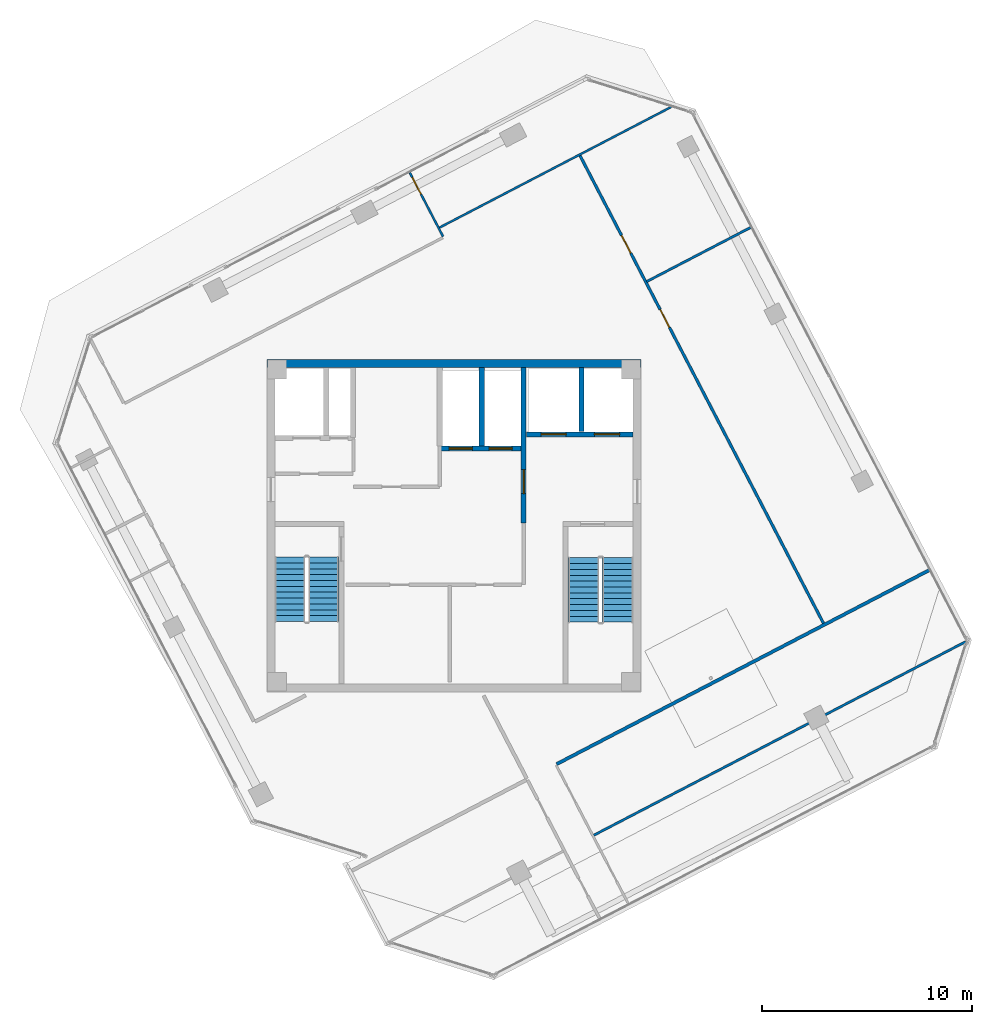
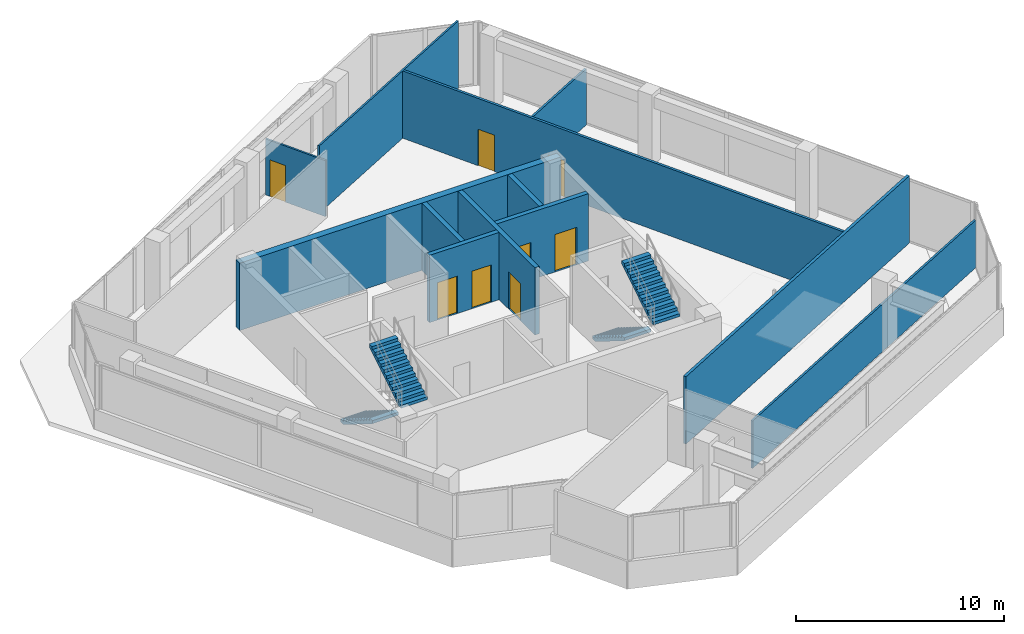
# One storey, part 12 of 16: 12 walls, 8 doors, 4 stair flights, 8 openings, 2 elements without a shape of their own.
"""IFC4 building model written with IfcOpenShell, lengths in metres."""

from ifc_helpers import new_model, si_unit, direction, frame, frame_2d, origin, place, context, subcontext, project, spatial, polyline, rectangle, outline, extrude, source, transform, mapped, material, layer, layer_set, type_object, element, fill, aggregate, save


model = new_model("IFC4")

# Units and contexts
model_context = context("Model", 3, precision=1e-05, world=origin(), true_north=direction((0.0, 1.0)))
body_context = subcontext(model_context, "Body", "Model", "MODEL_VIEW")
ifc_project = project(units=[si_unit("LENGTHUNIT", "METRE"), si_unit("AREAUNIT", "SQUARE_METRE"), si_unit("VOLUMEUNIT", "CUBIC_METRE"), si_unit("PLANEANGLEUNIT", "RADIAN"), si_unit("MASSUNIT", "GRAM", prefix="KILO")], contexts=[model_context])

# Site, building, storey
site_placement = place(None, origin())
site = spatial("IfcSite", under=ifc_project, at=site_placement, CompositionType="ELEMENT")
building_placement = place(site_placement, origin())
building = spatial("IfcBuilding", under=site, at=building_placement, Name="Torre Montelarca", CompositionType="ELEMENT")
storey_placement = place(building_placement, frame((0.0, 0.0, 328.199951171875)))
storey = spatial("IfcBuildingStorey", under=building, at=storey_placement, Name="L74", CompositionType="ELEMENT", Elevation=328.199951171875)

# Wall, opening, door
ifc_material_1 = material(Name="Concrete C40/50", Category="concrete")
ifc_layer_1 = layer(ifc_material_1, 0.25, Name="Concrete C40/50", Category="concrete")
ifc_layer_set_1 = layer_set([ifc_layer_1], Name="Concrete C40/50")
wall_type_1 = type_object("IfcWallType", Name="CW-SHAFT-250", PredefinedType="SHEAR", material=ifc_layer_set_1)
wall_1_placement = place(storey_placement, frame((21.320068359375, 32.1201171875, 0.0), z_axis=(0.0, 0.0, 1.0), x_axis=(0.0, 1.0, 0.0)))
wall_1 = element("IfcWall", 1, at=wall_1_placement, inside=storey, type_object=wall_type_1, Name="L74 Core Shear Wall SH-FFL-W", PredefinedType="SHEAR", context=body_context, shape_type="SweptSolid", body=[
    extrude(rectangle(XDim=7.419921875, YDim=0.25, at=frame_2d((3.7099609375, 0.0))), origin(), (0.0, 0.0, 1.0), 3.9599609375),
])
opening_1_placement = place(wall_1_placement, frame((1.39990234375, 0.0, 0.0)))
opening_1 = element("IfcOpeningElement", 2, at=opening_1_placement, cuts=wall_1, Name="Opening FD-LB1", PredefinedType="OPENING", context=body_context, shape_type="SweptSolid", body=[
    extrude(rectangle(XDim=1.14990234375, YDim=2.199951171875, at=frame_2d((0.574951171875, 1.10009765625))), frame((0.0, 0.135009765625, 0.0), z_axis=(0.0, -1.0, 0.0), x_axis=(1.0, 0.0, 0.0)), (0.0, 0.0, 1.0), 0.27001953125),
])
ifc_material_2 = material(Name="Acoustic timber-veneered fire door", Category="wood")
door_type_1 = type_object("IfcDoorType", Name="DR-LOBBY-115", OperationType="NOTDEFINED", PredefinedType="DOOR", material=ifc_material_2)
shared_shape_1 = source(origin(), body_context, "Body", "SweptSolid", [
    extrude(rectangle(XDim=1.14990234375, YDim=2.199951171875, at=frame_2d((0.574951171875, 1.10009765625))), frame((0.0, 0.02490234375, 0.0), z_axis=(0.0, -1.0, 0.0), x_axis=(1.0, 0.0, 0.0)), (0.0, 0.0, 1.0), 0.050048828125),
])
door_1_placement = place(opening_1_placement, origin())
door_1 = element("IfcDoor", 3, at=door_1_placement, inside=storey, type_object=door_type_1, Name="L74 Lift Lobby to Firefighting Lobby Smoke Door", OperationType="SINGLE_SWING_LEFT", OverallHeight=2.199951171875, OverallWidth=1.14990234375, PredefinedType="DOOR", context=body_context, shape_type="MappedRepresentation", body=[
    mapped(shared_shape_1, transform((0.0, 0.0, 0.0), scale=1.0)),
])
fill(opening_1, door_1)

# Wall, openings, doors
wall_2_placement = place(storey_placement, frame((21.449951171875, 36.35009765625, 0.0), z_axis=(0.0, 0.0, 1.0), x_axis=(1.0, 0.0, 0.0)))
wall_2 = element("IfcWall", 4, at=wall_2_placement, inside=storey, type_object=wall_type_1, Name="L74 Core Shear Wall SH-FF-S", PredefinedType="SHEAR", context=body_context, shape_type="SweptSolid", body=[
    extrude(rectangle(XDim=5.090087890625, YDim=0.25, at=frame_2d((2.544921875, 0.0))), origin(), (0.0, 0.0, 1.0), 3.9599609375),
])
opening_2_placement = place(wall_2_placement, frame((0.699951171875, 0.0, 0.0)))
opening_2 = element("IfcOpeningElement", 5, at=opening_2_placement, cuts=wall_2, Name="Opening LD-120", PredefinedType="OPENING", context=body_context, shape_type="SweptSolid", body=[
    extrude(rectangle(XDim=1.199951171875, YDim=2.199951171875, at=frame_2d((0.60009765625, 1.10009765625))), frame((0.0, 0.135009765625, 0.0), z_axis=(0.0, -1.0, 0.0), x_axis=(1.0, 0.0, 0.0)), (0.0, 0.0, 1.0), 0.27001953125),
])
opening_3_placement = place(wall_2_placement, frame((3.25, 0.0, 0.0)))
opening_3 = element("IfcOpeningElement", 6, at=opening_3_placement, cuts=wall_2, Name="Opening LD-120", PredefinedType="OPENING", context=body_context, shape_type="SweptSolid", body=[
    extrude(rectangle(XDim=1.199951171875, YDim=2.199951171875, at=frame_2d((0.60009765625, 1.10009765625))), frame((0.0, 0.135009765625, 0.0), z_axis=(0.0, -1.0, 0.0), x_axis=(1.0, 0.0, 0.0)), (0.0, 0.0, 1.0), 0.27001953125),
])
ifc_material_3 = material(Name="Brushed stainless steel AISI 316", Category="steel")
door_type_2 = type_object("IfcDoorType", Name="DR-LIFT-120", OperationType="SLIDING_TO_RIGHT", PredefinedType="DOOR", material=ifc_material_3)
shared_shape_2 = source(origin(), body_context, "Body", "SweptSolid", [
    extrude(rectangle(XDim=1.199951171875, YDim=2.199951171875, at=frame_2d((0.60009765625, 1.10009765625))), frame((0.0, 0.02490234375, 0.0), z_axis=(0.0, -1.0, 0.0), x_axis=(1.0, 0.0, 0.0)), (0.0, 0.0, 1.0), 0.050048828125),
])
door_2_placement = place(opening_2_placement, origin())
door_2 = element("IfcDoor", 7, at=door_2_placement, inside=storey, type_object=door_type_2, Name="L74 Lift Landing Sliding Door FF-1", OperationType="SLIDING_TO_LEFT", OverallHeight=2.199951171875, OverallWidth=1.199951171875, PredefinedType="DOOR", context=body_context, shape_type="MappedRepresentation", body=[
    mapped(shared_shape_2, transform((0.0, 0.0, 0.0), scale=1.0)),
])
fill(opening_2, door_2)
door_3_placement = place(opening_3_placement, origin())
door_3 = element("IfcDoor", 8, at=door_3_placement, inside=storey, type_object=door_type_2, Name="L74 Lift Landing Sliding Door FF-2", OperationType="SLIDING_TO_RIGHT", OverallHeight=2.199951171875, OverallWidth=1.199951171875, PredefinedType="DOOR", context=body_context, shape_type="MappedRepresentation", body=[
    mapped(shared_shape_2, transform((0.0, 0.0, 0.0), scale=1.0)),
])
fill(opening_3, door_3)

# Wall
wall_3_placement = place(storey_placement, frame((24.080078125, 36.47998046875, 0.0), z_axis=(0.0, 0.0, 1.0), x_axis=(0.0, 1.0, 0.0)))
element("IfcWall", 9, at=wall_3_placement, inside=storey, type_object=wall_type_1, Name="L74 Core Shear Wall SH-FF-M", PredefinedType="SHEAR", context=body_context, shape_type="SweptSolid", body=[
    extrude(rectangle(XDim=3.06005859375, YDim=0.25, at=frame_2d((1.530029296875, 0.0))), origin(), (0.0, 0.0, 1.0), 3.9599609375),
])

# Wall, openings, doors
wall_4_placement = place(storey_placement, frame((17.320068359375, 35.679931640625, 0.0), z_axis=(0.0, 0.0, 1.0), x_axis=(1.0, 0.0, 0.0)))
wall_4 = element("IfcWall", 10, at=wall_4_placement, inside=storey, type_object=wall_type_1, Name="L74 Core Shear Wall SH-PLH-S", PredefinedType="SHEAR", context=body_context, shape_type="SweptSolid", body=[
    extrude(rectangle(XDim=3.869873046875, YDim=0.25, at=frame_2d((1.93505859375, 0.0))), origin(), (0.0, 0.0, 1.0), 3.9599609375),
])
opening_4_placement = place(wall_4_placement, frame((0.449951171875, 0.0, 0.0)))
opening_4 = element("IfcOpeningElement", 11, at=opening_4_placement, cuts=wall_4, Name="Opening LD-110", PredefinedType="OPENING", context=body_context, shape_type="SweptSolid", body=[
    extrude(rectangle(XDim=1.10009765625, YDim=2.199951171875, at=frame_2d((0.550048828125, 1.10009765625))), frame((0.0, 0.135009765625, 0.0), z_axis=(0.0, -1.0, 0.0), x_axis=(1.0, 0.0, 0.0)), (0.0, 0.0, 1.0), 0.27001953125),
])
opening_5_placement = place(wall_4_placement, frame((2.35009765625, 0.0, 0.0)))
opening_5 = element("IfcOpeningElement", 12, at=opening_5_placement, cuts=wall_4, Name="Opening LD-110", PredefinedType="OPENING", context=body_context, shape_type="SweptSolid", body=[
    extrude(rectangle(XDim=1.10009765625, YDim=2.199951171875, at=frame_2d((0.550048828125, 1.10009765625))), frame((0.0, 0.135009765625, 0.0), z_axis=(0.0, -1.0, 0.0), x_axis=(1.0, 0.0, 0.0)), (0.0, 0.0, 1.0), 0.27001953125),
])
door_type_3 = type_object("IfcDoorType", Name="DR-LIFT-110", OperationType="SLIDING_TO_LEFT", PredefinedType="DOOR", material=ifc_material_3)
shared_shape_3 = source(origin(), body_context, "Body", "SweptSolid", [
    extrude(rectangle(XDim=1.10009765625, YDim=2.199951171875, at=frame_2d((0.550048828125, 1.10009765625))), frame((0.0, 0.02490234375, 0.0), z_axis=(0.0, -1.0, 0.0), x_axis=(1.0, 0.0, 0.0)), (0.0, 0.0, 1.0), 0.050048828125),
])
door_4_placement = place(opening_4_placement, origin())
door_4 = element("IfcDoor", 13, at=door_4_placement, inside=storey, type_object=door_type_3, Name="L74 Lift Landing Sliding Door PL-H1", OperationType="SLIDING_TO_LEFT", OverallHeight=2.199951171875, OverallWidth=1.10009765625, PredefinedType="DOOR", context=body_context, shape_type="MappedRepresentation", body=[
    mapped(shared_shape_3, transform((0.0, 0.0, 0.0), scale=1.0)),
])
fill(opening_4, door_4)
door_5_placement = place(opening_5_placement, origin())
door_5 = element("IfcDoor", 14, at=door_5_placement, inside=storey, type_object=door_type_3, Name="L74 Lift Landing Sliding Door PL-H2", OperationType="SLIDING_TO_RIGHT", OverallHeight=2.199951171875, OverallWidth=1.10009765625, PredefinedType="DOOR", context=body_context, shape_type="MappedRepresentation", body=[
    mapped(shared_shape_3, transform((0.0, 0.0, 0.0), scale=1.0)),
])
fill(opening_5, door_5)

# Walls
wall_5_placement = place(storey_placement, frame((19.320068359375, 35.81005859375, 0.0), z_axis=(0.0, 0.0, 1.0), x_axis=(0.0, 1.0, 0.0)))
element("IfcWall", 15, at=wall_5_placement, inside=storey, type_object=wall_type_1, Name="L74 Core Shear Wall SH-PLH-M", PredefinedType="SHEAR", context=body_context, shape_type="SweptSolid", body=[
    extrude(rectangle(XDim=3.72998046875, YDim=0.25, at=frame_2d((1.864990234375, 0.0))), origin(), (0.0, 0.0, 1.0), 3.9599609375),
])
ifc_layer_2 = layer(ifc_material_1, 0.3798828125, Name="Concrete C40/50", Category="concrete")
ifc_layer_set_2 = layer_set([ifc_layer_2], Name="Concrete C40/50")
wall_type_2 = type_object("IfcWallType", Name="CW-SHEAR-380", PredefinedType="SHEAR", material=ifc_layer_set_2)
wall_6_placement = place(storey_placement, frame((9.070068359375, 39.739990234375, 0.0), z_axis=(0.0, 0.0, 1.0), x_axis=(1.0, 0.0, 0.0)))
element("IfcWall", 16, at=wall_6_placement, inside=storey, type_object=wall_type_2, Name="L74 Core Shear Wall CW-N1", PredefinedType="SHEAR", context=body_context, shape_type="SweptSolid", body=[
    extrude(rectangle(XDim=17.85986328125, YDim=0.3798828125, at=frame_2d((8.929931640625, 0.0))), origin(), (0.0, 0.0, 1.0), 3.9599609375),
])
ifc_material_4 = material(Name="Gypsum plasterboard on steel stud", Category="steel")
ifc_layer_3 = layer(ifc_material_4, 0.159912109375, Name="Gypsum plasterboard on steel stud", Category="steel")
ifc_layer_set_3 = layer_set([ifc_layer_3], Name="Gypsum plasterboard on steel stud")
wall_type_3 = type_object("IfcWallType", Name="PW-FIRE-160", PredefinedType="PARTITIONING", material=ifc_layer_set_3)
wall_7_placement = place(storey_placement, frame((22.893310546875, 20.6171875, 0.0), z_axis=(0.0, 0.0, 1.0), x_axis=(0.887013262899, 0.461743945755, 0.0)))
element("IfcWall", 17, at=wall_7_placement, inside=storey, type_object=wall_type_3, Name="L74 Interior Partition W-L74-ECN", PredefinedType="PARTITIONING", context=body_context, shape_type="SweptSolid", body=[
    extrude(rectangle(XDim=20.0400390625, YDim=0.159912109375, at=frame_2d((10.02001953125, 0.0))), origin(), (0.0, 0.0, 1.0), 3.9599609375),
])

# Wall, opening, door
ifc_material_5 = material(Name="Acoustic laminated glass partition", Category="glass")
ifc_layer_4 = layer(ifc_material_5, 0.10009765625, Name="Acoustic laminated glass partition", Category="glass")
ifc_layer_set_4 = layer_set([ifc_layer_4], Name="Acoustic laminated glass partition")
wall_type_4 = type_object("IfcWallType", Name="PW-GLAZ-100", PredefinedType="PARTITIONING", material=ifc_layer_set_4)
wall_8_placement = place(storey_placement, frame((15.893798828125, 48.833251953125, 0.0), z_axis=(0.0, 0.0, 1.0), x_axis=(0.461760597426, -0.8870045945, 0.0)))
wall_8 = element("IfcWall", 18, at=wall_8_placement, inside=storey, type_object=wall_type_4, Name="L74 Interior Partition W-L74-WPKN", PredefinedType="PARTITIONING", context=body_context, shape_type="SweptSolid", body=[
    extrude(rectangle(XDim=3.4296875, YDim=0.10009765625, at=frame_2d((1.71484375, 0.0))), origin(), (0.0, 0.0, 1.0), 3.295166015625),
])
opening_6_placement = place(wall_8_placement, frame((0.25, 0.0, 0.0)))
opening_6 = element("IfcOpeningElement", 19, at=opening_6_placement, cuts=wall_8, Name="Opening ID-090", PredefinedType="OPENING", context=body_context, shape_type="SweptSolid", body=[
    extrude(rectangle(XDim=0.89990234375, YDim=2.14990234375, at=frame_2d((0.449951171875, 1.074951171875))), frame((0.0, 0.06005859375, 0.0), z_axis=(0.0, -1.0, 0.0), x_axis=(1.0, 0.0, 0.0)), (0.0, 0.0, 1.0), 0.1201171875),
])
ifc_material_6 = material(Name="Hardwood acoustic timber veneer", Category="wood")
door_type_4 = type_object("IfcDoorType", Name="DR-INT-090", OperationType="NOTDEFINED", PredefinedType="DOOR", material=ifc_material_6)
shared_shape_4 = source(origin(), body_context, "Body", "SweptSolid", [
    extrude(rectangle(XDim=0.89990234375, YDim=2.14990234375, at=frame_2d((0.449951171875, 1.074951171875))), frame((0.0, 0.02490234375, 0.0), z_axis=(0.0, -1.0, 0.0), x_axis=(1.0, 0.0, 0.0)), (0.0, 0.0, 1.0), 0.050048828125),
])
door_6_placement = place(opening_6_placement, origin())
door_6 = element("IfcDoor", 20, at=door_6_placement, inside=storey, type_object=door_type_4, Name="L74 Interior Door 12", OperationType="SINGLE_SWING_RIGHT", OverallHeight=2.14990234375, OverallWidth=0.89990234375, PredefinedType="DOOR", context=body_context, shape_type="MappedRepresentation", body=[
    mapped(shared_shape_4, transform((0.0, 0.0, 0.0), scale=1.0)),
])
fill(opening_6, door_6)

# Walls
wall_9_placement = place(storey_placement, frame((17.30078125, 46.21728515625, 0.0), z_axis=(0.0, 0.0, 1.0), x_axis=(0.887006461695, 0.461757010679, 0.0)))
element("IfcWall", 21, at=wall_9_placement, inside=storey, type_object=wall_type_4, Name="L74 Interior Partition W-L74-WPKE2", PredefinedType="PARTITIONING", context=body_context, shape_type="SweptSolid", body=[
    extrude(rectangle(XDim=12.471923828125, YDim=0.10009765625, at=frame_2d((6.23583984375, 0.0))), origin(), (0.0, 0.0, 1.0), 3.9599609375),
])
ifc_layer_5 = layer(ifc_material_4, 0.114990234375, Name="Gypsum plasterboard on steel stud", Category="steel")
ifc_layer_set_5 = layer_set([ifc_layer_5], Name="Gypsum plasterboard on steel stud")
wall_type_5 = type_object("IfcWallType", Name="PW-PART-115", PredefinedType="PARTITIONING", material=ifc_layer_set_5)
wall_10_placement = place(storey_placement, frame((27.187255859375, 43.641357421875, 0.0), z_axis=(0.0, 0.0, 1.0), x_axis=(0.886991844597, 0.461785088129, 0.0)))
element("IfcWall", 22, at=wall_10_placement, inside=storey, type_object=wall_type_5, Name="L74 Interior Partition W-L74-NDIV-1", PredefinedType="PARTITIONING", context=body_context, shape_type="SweptSolid", body=[
    extrude(rectangle(XDim=5.599853515625, YDim=0.114990234375, at=frame_2d((2.7998046875, 0.0))), origin(), (0.0, 0.0, 1.0), 3.295166015625),
])
wall_11_placement = place(storey_placement, frame((24.661865234375, 17.22021484375, 0.0), z_axis=(0.0, 0.0, 1.0), x_axis=(0.887015173056, 0.461740276312, 0.0)))
element("IfcWall", 23, at=wall_11_placement, inside=storey, type_object=wall_type_5, Name="L74 Interior Partition W-L74-NEDIV-1", PredefinedType="PARTITIONING", context=body_context, shape_type="SweptSolid", body=[
    extrude(rectangle(XDim=20.01171875, YDim=0.114990234375, at=frame_2d((10.005859375, 0.0))), origin(), (0.0, 0.0, 1.0), 2.795166015625),
])

# Wall, openings, doors
ifc_layer_6 = layer(ifc_material_4, 0.135009765625, Name="Gypsum plasterboard on steel stud", Category="steel")
ifc_layer_set_6 = layer_set([ifc_layer_6], Name="Gypsum plasterboard on steel stud")
wall_type_6 = type_object("IfcWallType", Name="PW-PART-135", PredefinedType="PARTITIONING", material=ifc_layer_set_6)
wall_12_placement = place(storey_placement, frame((24.007080078125, 49.66357421875, 0.0), z_axis=(0.0, 0.0, 1.0), x_axis=(0.461753963132, -0.887008048178, 0.0)))
wall_12 = element("IfcWall", 24, at=wall_12_placement, inside=storey, type_object=wall_type_6, Name="L74 Interior Partition W-L74-NBOT", PredefinedType="PARTITIONING", context=body_context, shape_type="SweptSolid", body=[
    extrude(rectangle(XDim=25.210205078125, YDim=0.135009765625, at=frame_2d((12.60498046875, 0.0))), origin(), (0.0, 0.0, 1.0), 3.9599609375),
])
opening_7_placement = place(wall_12_placement, frame((4.300048828125, 0.0, 0.0)))
opening_7 = element("IfcOpeningElement", 25, at=opening_7_placement, cuts=wall_12, Name="Opening ID-095", PredefinedType="OPENING", context=body_context, shape_type="SweptSolid", body=[
    extrude(rectangle(XDim=0.949951171875, YDim=2.14990234375, at=frame_2d((0.47509765625, 1.074951171875))), frame((0.0, 0.07763671875, 0.0), z_axis=(0.0, -1.0, 0.0), x_axis=(1.0, 0.0, 0.0)), (0.0, 0.0, 1.0), 0.155029296875),
])
opening_8_placement = place(wall_12_placement, frame((8.300048828125, 0.0, 0.0)))
opening_8 = element("IfcOpeningElement", 26, at=opening_8_placement, cuts=wall_12, Name="Opening ID-095", PredefinedType="OPENING", context=body_context, shape_type="SweptSolid", body=[
    extrude(rectangle(XDim=0.949951171875, YDim=2.14990234375, at=frame_2d((0.47509765625, 1.074951171875))), frame((0.0, 0.07763671875, 0.0), z_axis=(0.0, -1.0, 0.0), x_axis=(1.0, 0.0, 0.0)), (0.0, 0.0, 1.0), 0.155029296875),
])
door_type_5 = type_object("IfcDoorType", Name="DR-INT-095", OperationType="NOTDEFINED", PredefinedType="DOOR", material=ifc_material_6)
shared_shape_5 = source(origin(), body_context, "Body", "SweptSolid", [
    extrude(rectangle(XDim=0.949951171875, YDim=2.14990234375, at=frame_2d((0.47509765625, 1.074951171875))), frame((0.0, 0.02490234375, 0.0), z_axis=(0.0, -1.0, 0.0), x_axis=(1.0, 0.0, 0.0)), (0.0, 0.0, 1.0), 0.050048828125),
])
door_7_placement = place(opening_7_placement, origin())
door_7 = element("IfcDoor", 27, at=door_7_placement, inside=storey, type_object=door_type_5, Name="L74 Interior Door 09", OperationType="SINGLE_SWING_LEFT", OverallHeight=2.14990234375, OverallWidth=0.949951171875, PredefinedType="DOOR", context=body_context, shape_type="MappedRepresentation", body=[
    mapped(shared_shape_5, transform((0.0, 0.0, 0.0), scale=1.0)),
])
fill(opening_7, door_7)
door_8_placement = place(opening_8_placement, origin())
door_8 = element("IfcDoor", 28, at=door_8_placement, inside=storey, type_object=door_type_5, Name="L74 Interior Door 10", OperationType="SINGLE_SWING_RIGHT", OverallHeight=2.14990234375, OverallWidth=0.949951171875, PredefinedType="DOOR", context=body_context, shape_type="MappedRepresentation", body=[
    mapped(shared_shape_5, transform((0.0, 0.0, 0.0), scale=1.0)),
])
fill(opening_8, door_8)

# Stair, stair flights
stair_type_1 = type_object("IfcStairType", Name="ST-CORE-ST1", PredefinedType="HALF_TURN_STAIR", material=ifc_material_1)
stair_1_placement = place(storey_placement, origin())
stair_1 = element("IfcStair", 29, at=stair_1_placement, inside=storey, type_object=stair_type_1, Name="L74 Protected Exit Stair ST1", PredefinedType="HALF_TURN_STAIR")
stair_flight_type_1 = type_object("IfcStairFlightType", Name="SFL-CORE-ST1", PredefinedType="STRAIGHT", material=ifc_material_1)
stair_flight_1_placement = place(storey_placement, frame((10.175048828125, 30.5, 0.0), z_axis=(0.0, 0.0, 1.0), x_axis=(0.0, -1.0, 0.0)))
stair_flight_1 = element("IfcStairFlight", 30, at=stair_flight_1_placement, type_object=stair_flight_type_1, Name="ST1 flight 1", NumberOfRisers=12, NumberOfTreads=11, PredefinedType="STRAIGHT", RiserHeight=0.175, TreadLength=0.28, context=body_context, shape_type="SweptSolid", body=[
    extrude(outline(polyline([(0.0, 0.0), (0.0, 0.175048828125), (0.280029296875, 0.175048828125), (0.280029296875, 0.35009765625), (0.56005859375, 0.35009765625), (0.56005859375, 0.52490234375), (0.840087890625, 0.52490234375), (0.840087890625, 0.699951171875), (1.1201171875, 0.699951171875), (1.1201171875, 0.875), (1.39990234375, 0.875), (1.39990234375, 1.050048828125), (1.679931640625, 1.050048828125), (1.679931640625, 1.22509765625), (1.9599609375, 1.22509765625), (1.9599609375, 1.39990234375), (2.239990234375, 1.39990234375), (2.239990234375, 1.574951171875), (2.52001953125, 1.574951171875), (2.52001953125, 1.75), (2.800048828125, 1.75), (2.800048828125, 1.925048828125), (3.080078125, 1.925048828125), (3.080078125, 2.10009765625), (3.080078125, 1.748291015625), (0.28271484375, 0.0), (0.0, 0.0)])), frame((0.0, 0.72509765625, 0.0), z_axis=(0.0, -1.0, 0.0), x_axis=(1.0, 0.0, 0.0)), (0.0, 0.0, 1.0), 1.449951171875),
])
stair_flight_2_placement = place(storey_placement, frame((11.77490234375, 27.419921875, 2.10009765625), z_axis=(0.0, 0.0, 1.0), x_axis=(0.0, 1.0, 0.0)))
stair_flight_2 = element("IfcStairFlight", 31, at=stair_flight_2_placement, type_object=stair_flight_type_1, Name="ST1 flight 2", NumberOfRisers=12, NumberOfTreads=11, PredefinedType="STRAIGHT", RiserHeight=0.175, TreadLength=0.28, context=body_context, shape_type="SweptSolid", body=[
    extrude(outline(polyline([(0.0, 0.0), (0.0, 0.175048828125), (0.280029296875, 0.175048828125), (0.280029296875, 0.35009765625), (0.56005859375, 0.35009765625), (0.56005859375, 0.52490234375), (0.840087890625, 0.52490234375), (0.840087890625, 0.699951171875), (1.1201171875, 0.699951171875), (1.1201171875, 0.875), (1.39990234375, 0.875), (1.39990234375, 1.050048828125), (1.679931640625, 1.050048828125), (1.679931640625, 1.22509765625), (1.9599609375, 1.22509765625), (1.9599609375, 1.39990234375), (2.239990234375, 1.39990234375), (2.239990234375, 1.574951171875), (2.52001953125, 1.574951171875), (2.52001953125, 1.75), (2.800048828125, 1.75), (2.800048828125, 1.925048828125), (3.080078125, 1.925048828125), (3.080078125, 2.10009765625), (3.080078125, 1.748291015625), (0.28271484375, 0.0), (0.0, 0.0)])), frame((0.0, 0.72509765625, 0.0), z_axis=(0.0, -1.0, 0.0), x_axis=(1.0, 0.0, 0.0)), (0.0, 0.0, 1.0), 1.449951171875),
])
aggregate(stair_1, [stair_flight_1, stair_flight_2])

stair_type_2 = type_object("IfcStairType", Name="ST-CORE-ST2", PredefinedType="HALF_TURN_STAIR", material=ifc_material_1)
stair_2_placement = place(storey_placement, origin())
stair_2 = element("IfcStair", 32, at=stair_2_placement, inside=storey, type_object=stair_type_2, Name="L74 Protected Exit Stair ST2", PredefinedType="HALF_TURN_STAIR")
stair_flight_type_2 = type_object("IfcStairFlightType", Name="SFL-CORE-ST2", PredefinedType="STRAIGHT", material=ifc_material_1)
stair_flight_3_placement = place(storey_placement, frame((24.179931640625, 30.469970703125, 0.0), z_axis=(0.0, 0.0, 1.0), x_axis=(0.0, -1.0, 0.0)))
stair_flight_3 = element("IfcStairFlight", 33, at=stair_flight_3_placement, type_object=stair_flight_type_2, Name="ST2 flight 1", NumberOfRisers=12, NumberOfTreads=11, PredefinedType="STRAIGHT", RiserHeight=0.175, TreadLength=0.28, context=body_context, shape_type="SweptSolid", body=[
    extrude(outline(polyline([(0.0, 0.0), (0.0, 0.175048828125), (0.280029296875, 0.175048828125), (0.280029296875, 0.35009765625), (0.56005859375, 0.35009765625), (0.56005859375, 0.52490234375), (0.840087890625, 0.52490234375), (0.840087890625, 0.699951171875), (1.1201171875, 0.699951171875), (1.1201171875, 0.875), (1.39990234375, 0.875), (1.39990234375, 1.050048828125), (1.679931640625, 1.050048828125), (1.679931640625, 1.22509765625), (1.9599609375, 1.22509765625), (1.9599609375, 1.39990234375), (2.239990234375, 1.39990234375), (2.239990234375, 1.574951171875), (2.52001953125, 1.574951171875), (2.52001953125, 1.75), (2.800048828125, 1.75), (2.800048828125, 1.925048828125), (3.080078125, 1.925048828125), (3.080078125, 2.10009765625), (3.080078125, 1.748291015625), (0.28271484375, 0.0), (0.0, 0.0)])), frame((0.0, 0.739990234375, 0.0), z_axis=(0.0, -1.0, 0.0), x_axis=(1.0, 0.0, 0.0)), (0.0, 0.0, 1.0), 1.47998046875),
])
stair_flight_4_placement = place(storey_placement, frame((25.81005859375, 27.389892578125, 2.10009765625), z_axis=(0.0, 0.0, 1.0), x_axis=(0.0, 1.0, 0.0)))
stair_flight_4 = element("IfcStairFlight", 34, at=stair_flight_4_placement, type_object=stair_flight_type_2, Name="ST2 flight 2", NumberOfRisers=12, NumberOfTreads=11, PredefinedType="STRAIGHT", RiserHeight=0.175, TreadLength=0.28, context=body_context, shape_type="SweptSolid", body=[
    extrude(outline(polyline([(0.0, 0.0), (0.0, 0.175048828125), (0.280029296875, 0.175048828125), (0.280029296875, 0.35009765625), (0.56005859375, 0.35009765625), (0.56005859375, 0.52490234375), (0.840087890625, 0.52490234375), (0.840087890625, 0.699951171875), (1.1201171875, 0.699951171875), (1.1201171875, 0.875), (1.39990234375, 0.875), (1.39990234375, 1.050048828125), (1.679931640625, 1.050048828125), (1.679931640625, 1.22509765625), (1.9599609375, 1.22509765625), (1.9599609375, 1.39990234375), (2.239990234375, 1.39990234375), (2.239990234375, 1.574951171875), (2.52001953125, 1.574951171875), (2.52001953125, 1.75), (2.800048828125, 1.75), (2.800048828125, 1.925048828125), (3.080078125, 1.925048828125), (3.080078125, 2.10009765625), (3.080078125, 1.748291015625), (0.28271484375, 0.0), (0.0, 0.0)])), frame((0.0, 0.739990234375, 0.0), z_axis=(0.0, -1.0, 0.0), x_axis=(1.0, 0.0, 0.0)), (0.0, 0.0, 1.0), 1.47998046875),
])
aggregate(stair_2, [stair_flight_3, stair_flight_4])

save(model, "model.ifc")
